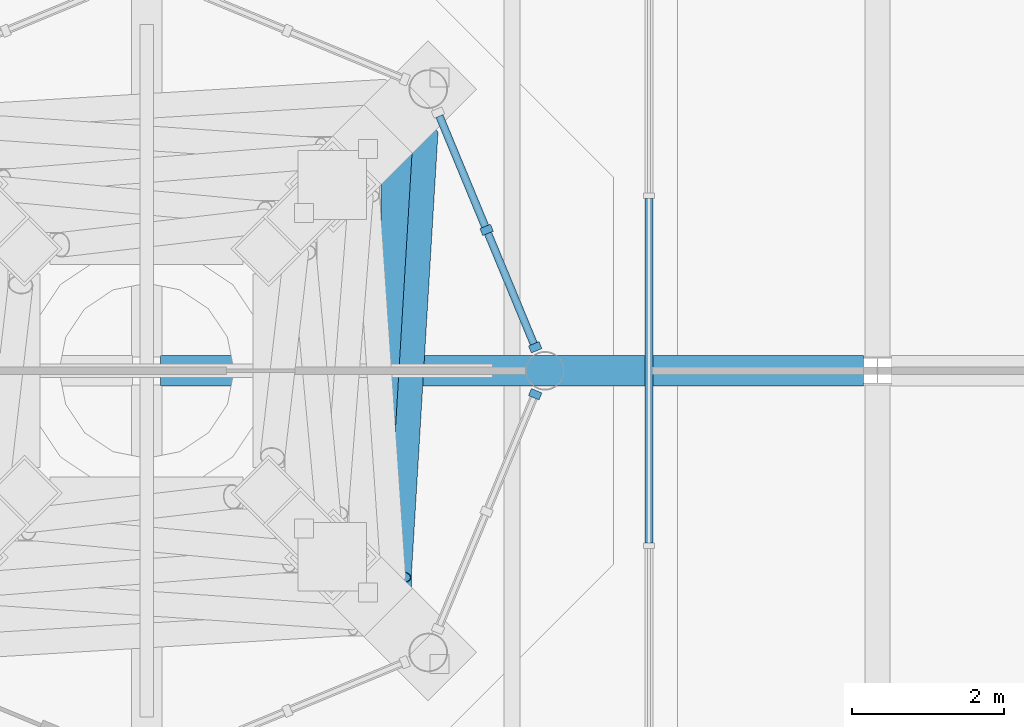
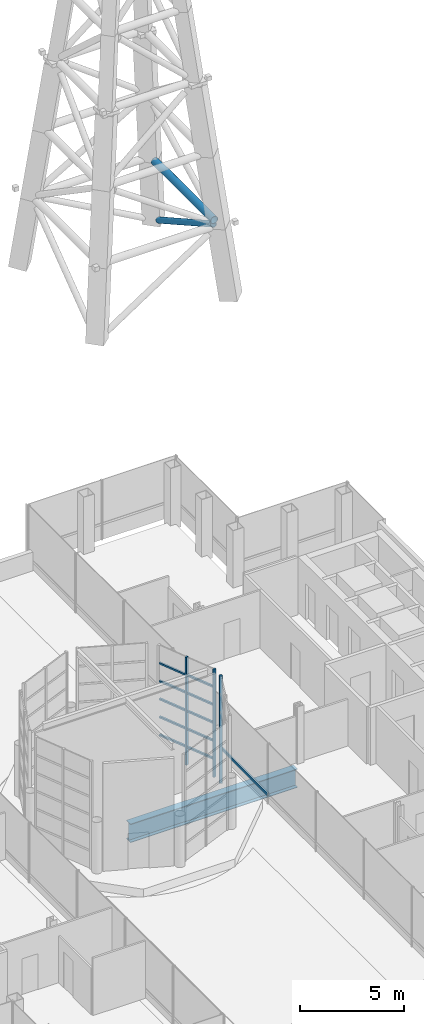
# One storey, part 15 of 32: 16 members, 1 beam, 3 elements without a shape of their own.
"""IFC4 building model written with IfcOpenShell, lengths in metres."""

from ifc_helpers import new_model, si_unit, direction, frame, origin, origin_2d, place, context, subcontext, project, spatial, rectangle, hollow_circle, i_section, extrude, material, material_profile, profile_set, type_object, element, aggregate, save


model = new_model("IFC4")

# Units and contexts
model_context = context("Model", 3, precision=1e-05, world=origin(), true_north=direction((0.0, 1.0)))
body_context = subcontext(model_context, "Body", "Model", "MODEL_VIEW")
ifc_project = project(units=[si_unit("LENGTHUNIT", "METRE"), si_unit("AREAUNIT", "SQUARE_METRE"), si_unit("VOLUMEUNIT", "CUBIC_METRE"), si_unit("PLANEANGLEUNIT", "RADIAN"), si_unit("MASSUNIT", "GRAM", prefix="KILO")], contexts=[model_context])

# Site, building, storey
site_placement = place(None, origin())
site = spatial("IfcSite", under=ifc_project, at=site_placement, CompositionType="ELEMENT")
building_placement = place(site_placement, origin())
building = spatial("IfcBuilding", under=site, at=building_placement, Name="Cobrizo Arcos Hotel Tower", CompositionType="ELEMENT")
storey_placement = place(building_placement, frame((0.0, 0.0, 265.5)))
storey = spatial("IfcBuildingStorey", under=building, at=storey_placement, Name="L70", CompositionType="ELEMENT", Elevation=265.5)

# Curtain wall, member
ifc_material_1 = material(Name="Aluminium 6063-T6 anodised bronze", Category="aluminium")
curtain_wall_type_1 = type_object("IfcCurtainWallType", Name="CW-C arch infill and crown glazing", PredefinedType="NOTDEFINED", material=ifc_material_1)
curtain_wall_1_placement = place(storey_placement, origin())
curtain_wall_1 = element("IfcCurtainWall", 1, at=curtain_wall_1_placement, inside=storey, type_object=curtain_wall_type_1, Name="CW-C L70 W face", PredefinedType="NOTDEFINED")
ifc_material_profile_1 = material_profile(ifc_material_1, rectangle(XDim=0.10009765625, YDim=0.139892578125, at=origin_2d()), Name="CW-C transom 140x100")
ifc_profile_set_1 = profile_set([ifc_material_profile_1], Name="Aluminium 6063-T6 anodised bronze")
member_type_1 = type_object("IfcMemberType", Name="CW-C transom 140x100", PredefinedType="USERDEFINED", material=ifc_profile_set_1)
member_1_placement = place(storey_placement, frame((6.59912109375, 2.264892578125, 0.5), z_axis=(0.0, -1.0, 0.0), x_axis=(1.0, 0.0, 0.0)))
member_1 = element("IfcMember", 2, at=member_1_placement, type_object=member_type_1, Name="CW-C transom 2186", ObjectType="TRANSOM", PredefinedType="USERDEFINED", context=body_context, shape_type="SweptSolid", body=[
    extrude(rectangle(XDim=0.10009765625, YDim=0.139892578125, at=origin_2d()), origin(), (0.0, 0.0, 1.0), 4.52978515625),
])
aggregate(curtain_wall_1, [member_1])

# Curtain wall, members
curtain_wall_type_2 = type_object("IfcCurtainWallType", Name="CW-D plant louvre wall", PredefinedType="NOTDEFINED", material=ifc_material_1)
curtain_wall_2_placement = place(storey_placement, origin())
curtain_wall_2 = element("IfcCurtainWall", 3, at=curtain_wall_2_placement, inside=storey, type_object=curtain_wall_type_2, Name="CW-D drum louvre wall 1", PredefinedType="NOTDEFINED")
ifc_material_profile_2 = material_profile(ifc_material_1, rectangle(XDim=0.14990234375, YDim=0.10009765625, at=origin_2d()), Name="CW-D mullion 150x100")
ifc_profile_set_2 = profile_set([ifc_material_profile_2], Name="Aluminium 6063-T6 anodised bronze")
member_type_2 = type_object("IfcMemberType", Name="CW-D mullion 150x100", PredefinedType="MULLION", material=ifc_profile_set_2)
member_2_placement = place(storey_placement, frame((5.104736328125, 0.30859375, 0.5), z_axis=(0.0, 0.0, 1.0), x_axis=(0.923879532511, 0.382683432365, 0.0)))
member_2 = element("IfcMember", 4, at=member_2_placement, type_object=member_type_2, Name="CW-D mullion 1", PredefinedType="MULLION", context=body_context, shape_type="SweptSolid", body=[
    extrude(rectangle(XDim=0.14990234375, YDim=0.10009765625, at=origin_2d()), origin(), (0.0, 0.0, 1.0), 6.300048828125),
])
member_3_placement = place(storey_placement, frame((4.46630859375, 1.85009765625, 0.5), z_axis=(0.0, 0.0, 1.0), x_axis=(0.923879532511, 0.382683432365, 0.0)))
member_3 = element("IfcMember", 5, at=member_3_placement, type_object=member_type_2, Name="CW-D mullion 2", PredefinedType="MULLION", context=body_context, shape_type="SweptSolid", body=[
    extrude(rectangle(XDim=0.14990234375, YDim=0.10009765625, at=origin_2d()), origin(), (0.0, 0.0, 1.0), 6.300048828125),
])

# Curtain wall, member
curtain_wall_3_placement = place(storey_placement, origin())
curtain_wall_3 = element("IfcCurtainWall", 6, at=curtain_wall_3_placement, inside=storey, type_object=curtain_wall_type_2, Name="CW-D drum louvre wall 8", PredefinedType="NOTDEFINED")
member_4_placement = place(storey_placement, frame((5.104736328125, -0.30859375, 0.5), z_axis=(0.0, 0.0, 1.0), x_axis=(0.923879532511, -0.382683432365, 0.0)))
member_4 = element("IfcMember", 7, at=member_4_placement, type_object=member_type_2, Name="CW-D mullion 3", PredefinedType="MULLION", context=body_context, shape_type="SweptSolid", body=[
    extrude(rectangle(XDim=0.14990234375, YDim=0.10009765625, at=origin_2d()), origin(), (0.0, 0.0, 1.0), 6.300048828125),
])
aggregate(curtain_wall_3, [member_4])

# Member
ifc_material_profile_3 = material_profile(ifc_material_1, rectangle(XDim=0.10009765625, YDim=0.10009765625, at=origin_2d()), Name="CW-D transom 100x100")
ifc_profile_set_3 = profile_set([ifc_material_profile_3], Name="Aluminium 6063-T6 anodised bronze")
member_type_3 = type_object("IfcMemberType", Name="CW-D transom 100x100", PredefinedType="USERDEFINED", material=ifc_profile_set_3)
member_5_placement = place(storey_placement, frame((5.085693359375, 0.354736328125, 1.550048828125), z_axis=(-0.382768797092, 0.923844168663, 0.0), x_axis=(-0.923844168663, -0.382768797092, 0.0)))
member_5 = element("IfcMember", 8, at=member_5_placement, type_object=member_type_3, Name="CW-D transom 1-1", ObjectType="TRANSOM", PredefinedType="USERDEFINED", context=body_context, shape_type="SweptSolid", body=[
    extrude(rectangle(XDim=0.10009765625, YDim=0.10009765625, at=origin_2d()), origin(), (0.0, 0.0, 1.0), 1.568359375),
])

member_6_placement = place(storey_placement, frame((5.085693359375, 0.354736328125, 2.60009765625), z_axis=(-0.382768797092, 0.923844168663, 0.0), x_axis=(-0.923844168663, -0.382768797092, 0.0)))
member_6 = element("IfcMember", 9, at=member_6_placement, type_object=member_type_3, Name="CW-D transom 1-2", ObjectType="TRANSOM", PredefinedType="USERDEFINED", context=body_context, shape_type="SweptSolid", body=[
    extrude(rectangle(XDim=0.10009765625, YDim=0.10009765625, at=origin_2d()), origin(), (0.0, 0.0, 1.0), 1.568359375),
])

member_7_placement = place(storey_placement, frame((5.085693359375, 0.354736328125, 3.64990234375), z_axis=(-0.382768797092, 0.923844168663, 0.0), x_axis=(-0.923844168663, -0.382768797092, 0.0)))
member_7 = element("IfcMember", 10, at=member_7_placement, type_object=member_type_3, Name="CW-D transom 1-3", ObjectType="TRANSOM", PredefinedType="USERDEFINED", context=body_context, shape_type="SweptSolid", body=[
    extrude(rectangle(XDim=0.10009765625, YDim=0.10009765625, at=origin_2d()), origin(), (0.0, 0.0, 1.0), 1.568359375),
])

member_8_placement = place(storey_placement, frame((5.085693359375, 0.354736328125, 4.699951171875), z_axis=(-0.382768797092, 0.923844168663, 0.0), x_axis=(-0.923844168663, -0.382768797092, 0.0)))
member_8 = element("IfcMember", 11, at=member_8_placement, type_object=member_type_3, Name="CW-D transom 1-4", ObjectType="TRANSOM", PredefinedType="USERDEFINED", context=body_context, shape_type="SweptSolid", body=[
    extrude(rectangle(XDim=0.10009765625, YDim=0.10009765625, at=origin_2d()), origin(), (0.0, 0.0, 1.0), 1.568359375),
])

member_9_placement = place(storey_placement, frame((5.085693359375, 0.354736328125, 5.75), z_axis=(-0.382768797092, 0.923844168663, 0.0), x_axis=(-0.923844168663, -0.382768797092, 0.0)))
member_9 = element("IfcMember", 12, at=member_9_placement, type_object=member_type_3, Name="CW-D transom 1-5", ObjectType="TRANSOM", PredefinedType="USERDEFINED", context=body_context, shape_type="SweptSolid", body=[
    extrude(rectangle(XDim=0.10009765625, YDim=0.10009765625, at=origin_2d()), origin(), (0.0, 0.0, 1.0), 1.568359375),
])

member_10_placement = place(storey_placement, frame((4.447265625, 1.896240234375, 1.550048828125), z_axis=(-0.382768797092, 0.923844168663, 0.0), x_axis=(-0.923844168663, -0.382768797092, 0.0)))
member_10 = element("IfcMember", 13, at=member_10_placement, type_object=member_type_3, Name="CW-D transom 2-1", ObjectType="TRANSOM", PredefinedType="USERDEFINED", context=body_context, shape_type="SweptSolid", body=[
    extrude(rectangle(XDim=0.10009765625, YDim=0.10009765625, at=origin_2d()), origin(), (0.0, 0.0, 1.0), 1.568359375),
])

member_11_placement = place(storey_placement, frame((4.447265625, 1.896240234375, 2.60009765625), z_axis=(-0.382768797092, 0.923844168663, 0.0), x_axis=(-0.923844168663, -0.382768797092, 0.0)))
member_11 = element("IfcMember", 14, at=member_11_placement, type_object=member_type_3, Name="CW-D transom 2-2", ObjectType="TRANSOM", PredefinedType="USERDEFINED", context=body_context, shape_type="SweptSolid", body=[
    extrude(rectangle(XDim=0.10009765625, YDim=0.10009765625, at=origin_2d()), origin(), (0.0, 0.0, 1.0), 1.568359375),
])

member_12_placement = place(storey_placement, frame((4.447265625, 1.896240234375, 3.64990234375), z_axis=(-0.382768797092, 0.923844168663, 0.0), x_axis=(-0.923844168663, -0.382768797092, 0.0)))
member_12 = element("IfcMember", 15, at=member_12_placement, type_object=member_type_3, Name="CW-D transom 2-3", ObjectType="TRANSOM", PredefinedType="USERDEFINED", context=body_context, shape_type="SweptSolid", body=[
    extrude(rectangle(XDim=0.10009765625, YDim=0.10009765625, at=origin_2d()), origin(), (0.0, 0.0, 1.0), 1.568359375),
])

member_13_placement = place(storey_placement, frame((4.447265625, 1.896240234375, 4.699951171875), z_axis=(-0.382768797092, 0.923844168663, 0.0), x_axis=(-0.923844168663, -0.382768797092, 0.0)))
member_13 = element("IfcMember", 16, at=member_13_placement, type_object=member_type_3, Name="CW-D transom 2-4", ObjectType="TRANSOM", PredefinedType="USERDEFINED", context=body_context, shape_type="SweptSolid", body=[
    extrude(rectangle(XDim=0.10009765625, YDim=0.10009765625, at=origin_2d()), origin(), (0.0, 0.0, 1.0), 1.568359375),
])

member_14_placement = place(storey_placement, frame((4.447265625, 1.896240234375, 5.75), z_axis=(-0.382768797092, 0.923844168663, 0.0), x_axis=(-0.923844168663, -0.382768797092, 0.0)))
member_14 = element("IfcMember", 17, at=member_14_placement, type_object=member_type_3, Name="CW-D transom 2-5", ObjectType="TRANSOM", PredefinedType="USERDEFINED", context=body_context, shape_type="SweptSolid", body=[
    extrude(rectangle(XDim=0.10009765625, YDim=0.10009765625, at=origin_2d()), origin(), (0.0, 0.0, 1.0), 1.568359375),
])

aggregate(curtain_wall_2, [member_2, member_3, member_5, member_6, member_7, member_8, member_9, member_10, member_11, member_12, member_13, member_14])

# Members
ifc_material_2 = material(Name="Steel ASTM A500 Grade C", Category="steel")
ifc_material_profile_4 = material_profile(ifc_material_2, hollow_circle(Radius=0.161865234375, WallThickness=0.01171875, at=origin_2d()), Name="HSS12.750X0.500")
ifc_profile_set_4 = profile_set([ifc_material_profile_4], Name="Steel ASTM A500 Grade C")
member_type_4 = type_object("IfcMemberType", Name="MAST diagonal HSS12.750X0.500", PredefinedType="BRACE", material=ifc_profile_set_4)
member_15_placement = place(storey_placement, frame((3.66552734375, 3.129150390625, 31.835205078125), z_axis=(-0.051780997675, -0.861084142838, 0.505818966857), x_axis=(0.998196800691, -0.060026220022, 0.0)))
element("IfcMember", 18, at=member_15_placement, inside=storey, type_object=member_type_4, Name="MAST diagonal stage 1 face 2", PredefinedType="BRACE", context=body_context, shape_type="SweptSolid", body=[
    extrude(hollow_circle(Radius=0.161865234375, WallThickness=0.01171875, at=origin_2d()), origin(), (0.0, 0.0, 1.0), 6.780029296875),
])
ifc_material_profile_5 = material_profile(ifc_material_2, hollow_circle(Radius=0.203125, WallThickness=0.01171875, at=origin_2d()), Name="HSS16.000X0.500")
ifc_profile_set_5 = profile_set([ifc_material_profile_5], Name="Steel ASTM A500 Grade C")
member_type_5 = type_object("IfcMemberType", Name="MAST strut HSS16.000X0.500", PredefinedType="STRUT", material=ifc_profile_set_5)
member_16_placement = place(storey_placement, frame((3.280029296875, -2.85009765625, 35.60009765625), z_axis=(0.0, 1.0, 0.0), x_axis=(-1.0, 0.0, 0.0)))
element("IfcMember", 19, at=member_16_placement, inside=storey, type_object=member_type_5, Name="MAST strut level 1 face 2", PredefinedType="STRUT", context=body_context, shape_type="SweptSolid", body=[
    extrude(hollow_circle(Radius=0.203125, WallThickness=0.01171875, at=origin_2d()), origin(), (0.0, 0.0, 1.0), 5.7001953125),
])

# Beam
ifc_material_3 = material(Name="Steel ASTM A992 Grade 50", Category="steel")
ifc_material_profile_6 = material_profile(ifc_material_3, i_section(OverallWidth=0.4013671875, OverallDepth=1.089599609375, WebThickness=0.01806640625, FlangeThickness=0.031005859375, at=origin_2d()), Name="W44X230")
ifc_profile_set_6 = profile_set([ifc_material_profile_6], Name="Steel ASTM A992 Grade 50")
beam_type = type_object("IfcBeamType", Name="W44X230 crown transfer girder", PredefinedType="BEAM", material=ifc_profile_set_6)
beam_placement = place(storey_placement, frame((0.18408203125, 0.0, -0.794921875), z_axis=(1.0, 0.0, 0.0), x_axis=(0.0, 1.0, 0.0)))
element("IfcBeam", 20, at=beam_placement, inside=storey, type_object=beam_type, Name="Crown transfer girder CG1, L70, no. 003", PredefinedType="BEAM", context=body_context, shape_type="SweptSolid", body=[
    extrude(i_section(OverallWidth=0.4013671875, OverallDepth=1.089599609375, WebThickness=0.01806640625, FlangeThickness=0.031005859375, at=origin_2d()), origin(), (0.0, 0.0, 1.0), 9.231689453125),
])

save(model, "model.ifc")
